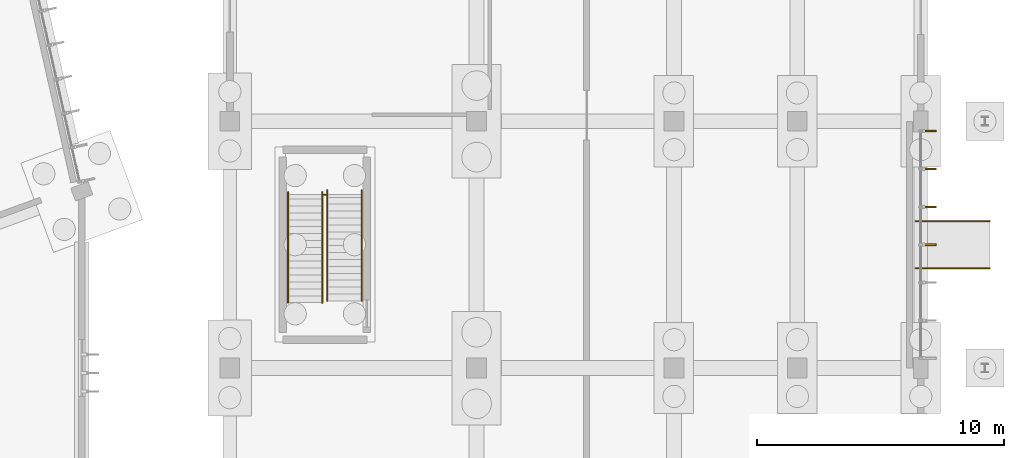
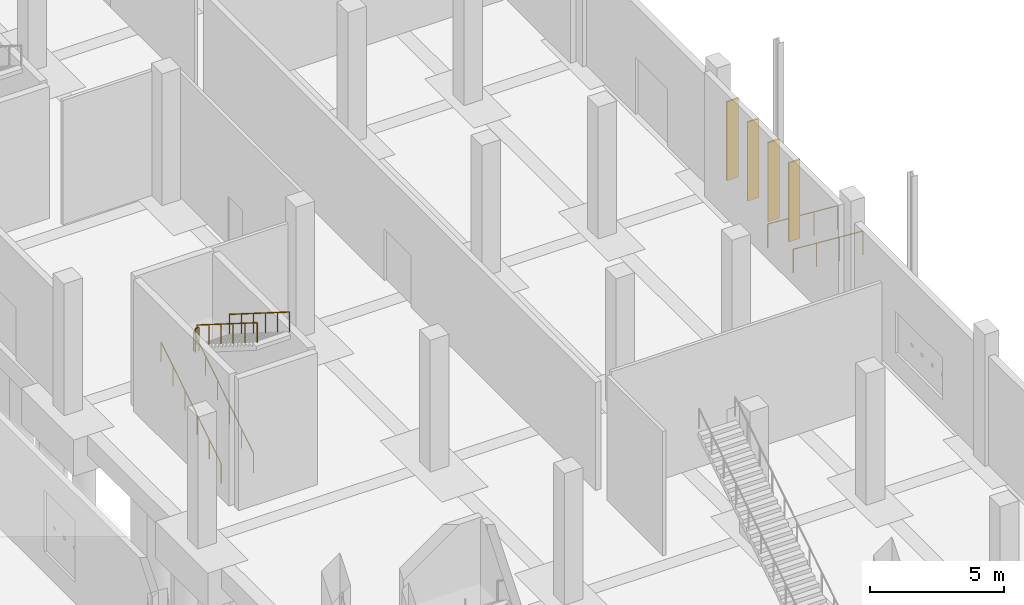
# One storey, part 135 of 140: 7 railings, 4 shading devices.
"""IFC4 building model written with IfcOpenShell, lengths in metres."""

from ifc_helpers import new_model, si_unit, direction, frame, origin, origin_2d, place, context, subcontext, project, spatial, rectangle, circle, extrude, material, layer, layer_set, type_object, element, save


model = new_model("IFC4")

# Units and contexts
model_context = context("Model", 3, precision=1e-05, world=origin(), true_north=direction((0.0, 1.0)))
body_context = subcontext(model_context, "Body", "Model", "MODEL_VIEW")
ifc_project = project(units=[si_unit("LENGTHUNIT", "METRE"), si_unit("AREAUNIT", "SQUARE_METRE"), si_unit("VOLUMEUNIT", "CUBIC_METRE"), si_unit("PLANEANGLEUNIT", "RADIAN"), si_unit("MASSUNIT", "GRAM", prefix="KILO")], contexts=[model_context])

# Site, building, storey
site_placement = place(None, origin())
site = spatial("IfcSite", under=ifc_project, at=site_placement, CompositionType="ELEMENT")
building_placement = place(site_placement, origin())
building = spatial("IfcBuilding", under=site, at=building_placement, Name="Corvandel Quay Wholesale Market", CompositionType="ELEMENT")
storey_placement = place(building_placement, origin())
storey = spatial("IfcBuildingStorey", under=building, at=storey_placement, Name="L00", CompositionType="ELEMENT", Elevation=0.0)

# Railings
ifc_material_1 = material(Name="Hot-dip galvanised painted steel", Category="steel")
ifc_layer_1 = layer(ifc_material_1, 0.06005859375)
ifc_layer_set_1 = layer_set([ifc_layer_1], Name="Hot-dip galvanised painted steel")
railing_type_1 = type_object("IfcRailingType", Name="Galvanised Steel Guard Balustrade GR01 1100mm", PredefinedType="BALUSTRADE", material=ifc_layer_set_1)
for number, where, name in (
    (1, (250.800048828125, 65.949951171875, -0.219970703125), "Farmshop Promenade Accessible Ramp Guard GR-0058"),
    (2, (250.800048828125, 64.050048828125, -0.219970703125), "Farmshop Promenade Accessible Ramp Guard GR-0059"),
):
    element("IfcRailing", number, at=place(storey_placement, frame(where)), inside=storey, type_object=railing_type_1, Name=name, PredefinedType="BALUSTRADE", context=body_context, shape_type="SweptSolid", body=[
        extrude(circle(Radius=0.02392578125, at=origin_2d()), frame((0.0, 0.0, 1.076171875), z_axis=(-0.997322618282, 0.0, 0.073127252529), x_axis=(0.0, -1.0, 0.0)), (0.0, 0.0, 1.0), 3.008056640625),
        extrude(circle(Radius=0.02099609375, at=origin_2d()), origin(), (0.0, 0.0, 1.0), 1.052001953125),
        extrude(circle(Radius=0.02099609375, at=origin_2d()), frame((-1.0, 0.0, 0.0732421875)), (0.0, 0.0, 1.0), 1.052001953125),
        extrude(circle(Radius=0.02099609375, at=origin_2d()), frame((-2.0, 0.0, 0.146728515625)), (0.0, 0.0, 1.0), 1.052001953125),
        extrude(circle(Radius=0.02099609375, at=origin_2d()), frame((-3.0, 0.0, 0.219970703125)), (0.0, 0.0, 1.0), 1.052001953125),
    ])
ifc_material_2 = material(Name="Painted galvanised tubular steel", Category="steel")
ifc_layer_2 = layer(ifc_material_2, 0.054931640625)
ifc_layer_set_2 = layer_set([ifc_layer_2], Name="Painted galvanised tubular steel")
railing_type_2 = type_object("IfcRailingType", Name="Stairwell Inner Guard Railing GR02 1100mm", PredefinedType="GUARDRAIL", material=ifc_layer_set_2)
railing_placement = place(storey_placement, frame((223.77001953125, 67.030029296875, 3.0)))
element("IfcRailing", 3, at=railing_placement, inside=storey, type_object=railing_type_2, Name="Stair Landing Well Guard 0178", PredefinedType="GUARDRAIL", context=body_context, shape_type="SweptSolid", body=[
    extrude(circle(Radius=0.02392578125, at=origin_2d()), frame((0.0, 0.0, 1.076171875), z_axis=(1.0, 0.0, 0.0), x_axis=(0.0, 1.0, 0.0)), (0.0, 0.0, 1.0), 0.159912109375),
    extrude(circle(Radius=0.02099609375, at=origin_2d()), origin(), (0.0, 0.0, 1.0), 1.052001953125),
    extrude(circle(Radius=0.02099609375, at=origin_2d()), frame((0.159912109375, 0.0, 0.0)), (0.0, 0.0, 1.0), 1.052001953125),
])
ifc_material_3 = material(Name="Brushed austenitic stainless steel Grade 316", Category="steel")
ifc_layer_3 = layer(ifc_material_3, 0.048095703125)
ifc_layer_set_3 = layer_set([ifc_layer_3], Name="Brushed austenitic stainless steel Grade 316")
railing_type_3 = type_object("IfcRailingType", Name="Tubular Stainless Stair Handrail HR01 915mm", PredefinedType="HANDRAIL", material=ifc_layer_set_3)
for number, where, name in (
    (4, (222.360107421875, 62.64990234375, 0.176513671875), "Stair Handrail 0174"),
    (5, (223.75, 62.64990234375, 0.176513671875), "Stair Handrail 0175"),
):
    element("IfcRailing", number, at=place(storey_placement, frame(where)), inside=storey, type_object=railing_type_3, Name=name, PredefinedType="HANDRAIL", context=body_context, shape_type="SweptSolid", body=[
        extrude(circle(Radius=0.02392578125, at=origin_2d()), frame((0.0, 0.0, 0.89111328125), z_axis=(0.0, 0.845997938375, 0.533186166611), x_axis=(-1.0, 0.0, 0.0)), (0.0, 0.0, 1.0), 5.29541015625),
        extrude(circle(Radius=0.02099609375, at=origin_2d()), origin(), (0.0, 0.0, 1.0), 0.866943359375),
        extrude(circle(Radius=0.02099609375, at=origin_2d()), frame((0.0, 0.89599609375, 0.564697265625)), (0.0, 0.0, 1.0), 0.866943359375),
        extrude(circle(Radius=0.02099609375, at=origin_2d()), frame((0.0, 1.7919921875, 1.12939453125)), (0.0, 0.0, 1.0), 0.866943359375),
        extrude(circle(Radius=0.02099609375, at=origin_2d()), frame((0.0, 2.68798828125, 1.694091796875)), (0.0, 0.0, 1.0), 0.866943359375),
        extrude(circle(Radius=0.02099609375, at=origin_2d()), frame((0.0, 3.583984375, 2.2587890625)), (0.0, 0.0, 1.0), 0.866943359375),
        extrude(circle(Radius=0.02099609375, at=origin_2d()), frame((0.0, 4.47998046875, 2.823486328125)), (0.0, 0.0, 1.0), 0.866943359375),
    ])
for number, where, name in (
    (6, (223.949951171875, 67.199951171875, 3.176513671875), "Stair Handrail 0176"),
    (7, (225.340087890625, 67.199951171875, 3.176513671875), "Stair Handrail 0177"),
):
    element("IfcRailing", number, at=place(storey_placement, frame(where)), inside=storey, type_object=railing_type_3, Name=name, PredefinedType="HANDRAIL", context=body_context, shape_type="SweptSolid", body=[
        extrude(circle(Radius=0.02392578125, at=origin_2d()), frame((0.0, 0.0, 0.89111328125), z_axis=(0.0, -0.845997938375, 0.533186166611), x_axis=(1.0, 0.0, 0.0)), (0.0, 0.0, 1.0), 5.29541015625),
        extrude(circle(Radius=0.02099609375, at=origin_2d()), origin(), (0.0, 0.0, 1.0), 0.866943359375),
        extrude(circle(Radius=0.02099609375, at=origin_2d()), frame((0.0, -0.89599609375, 0.564697265625)), (0.0, 0.0, 1.0), 0.866943359375),
        extrude(circle(Radius=0.02099609375, at=origin_2d()), frame((0.0, -1.7919921875, 1.12939453125)), (0.0, 0.0, 1.0), 0.866943359375),
        extrude(circle(Radius=0.02099609375, at=origin_2d()), frame((0.0, -2.68798828125, 1.694091796875)), (0.0, 0.0, 1.0), 0.866943359375),
        extrude(circle(Radius=0.02099609375, at=origin_2d()), frame((0.0, -3.583984375, 2.2587890625)), (0.0, 0.0, 1.0), 0.866943359375),
        extrude(circle(Radius=0.02099609375, at=origin_2d()), frame((0.0, -4.47998046875, 2.823486328125)), (0.0, 0.0, 1.0), 0.866943359375),
    ])

# Shading devices
ifc_material_4 = material(Name="Bronze anodised extruded aluminium 6063-T6", Category="aluminium")
shading_device_type = type_object("IfcShadingDeviceType", Name="Vertical Anodised Bronze Solar Fin FN01 480mm", PredefinedType="JALOUSIE", material=ifc_material_4)
for number, where, z_axis, x_axis, name in (
    (8, (248.3798828125, 65.0, 0.724853515625), (0.0, 0.0, 1.0), (1.0, 0.0, 0.0), "Solar Fin 0610"),
    (9, (248.3798828125, 66.533203125, 0.724853515625), (0.0, 0.0, 1.0), (1.0, 0.0, 0.0), "Solar Fin 0611"),
    (10, (248.3798828125, 68.066650390625, 0.724853515625), (0.0, 0.0, 1.0), (1.0, 0.0, 0.0), "Solar Fin 0612"),
    (11, (248.3798828125, 69.60009765625, 0.724853515625), (0.0, 0.0, 1.0), (1.0, 0.0, 0.0), "Solar Fin 0613"),
):
    element("IfcShadingDevice", number, at=place(storey_placement, frame(where, z_axis=z_axis, x_axis=x_axis)), inside=storey, type_object=shading_device_type, Name=name, PredefinedType="JALOUSIE", context=body_context, shape_type="SweptSolid", body=[
        extrude(rectangle(XDim=0.47998046875, YDim=0.06494140625, at=origin_2d()), origin(), (0.0, 0.0, 1.0), 3.60009765625),
    ])

save(model, "model.ifc")
